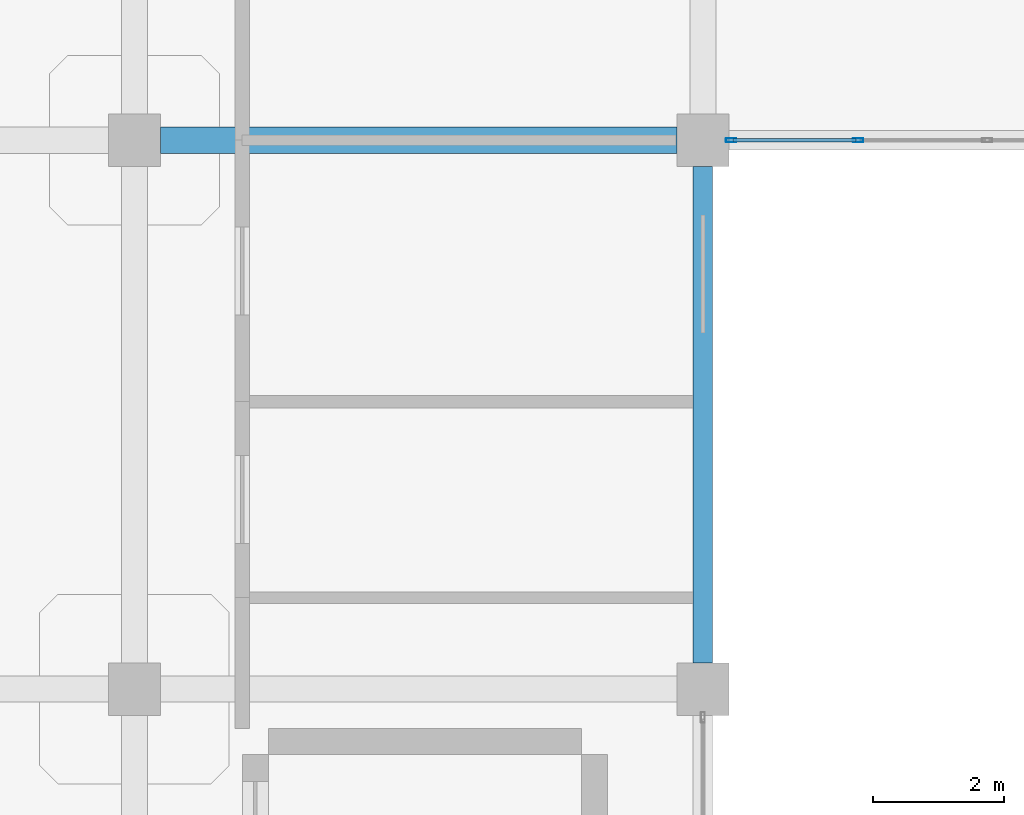
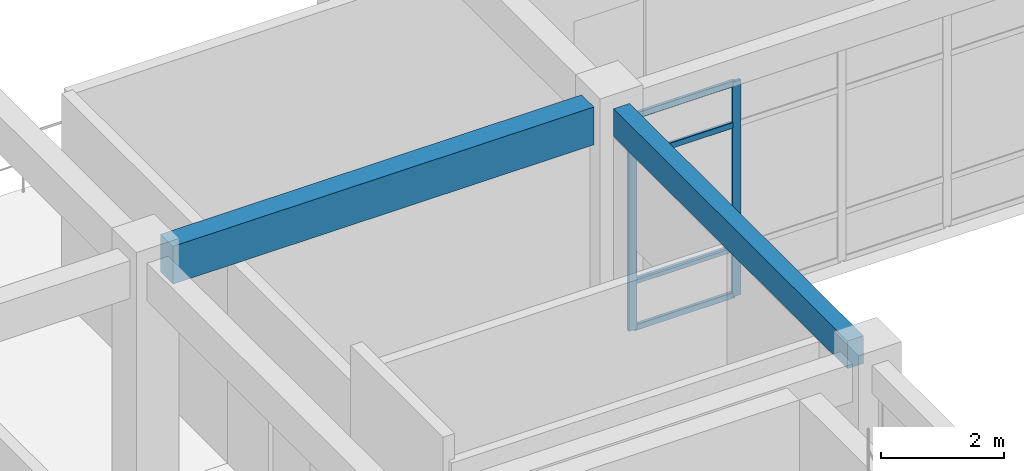
# One storey, part 35 of 96: 6 members, 2 beams, 1 element without a shape of its own.
"""IFC4 building model written with IfcOpenShell, lengths in metres."""

from ifc_helpers import new_model, si_unit, derived_unit, direction, frame, origin, origin_2d, place, context, subcontext, project, spatial, rectangle, hollow_rectangle, extrude, material, layer, layer_set, material_profile, profile_set, type_object, element, aggregate, save


model = new_model("IFC4")

# Units and contexts
model_context = context("Model", 3, precision=1e-05, world=origin(), true_north=direction((0.0, 1.0)))
body_context = subcontext(model_context, "Body", "Model", "MODEL_VIEW")
ifc_project = project(units=[si_unit("LENGTHUNIT", "METRE"), si_unit("AREAUNIT", "SQUARE_METRE"), si_unit("VOLUMEUNIT", "CUBIC_METRE"), si_unit("PLANEANGLEUNIT", "RADIAN"), si_unit("MASSUNIT", "GRAM", prefix="KILO"), derived_unit("THERMALTRANSMITTANCEUNIT", [(si_unit("MASSUNIT", "GRAM", prefix="KILO"), 1), (si_unit("TIMEUNIT", "SECOND"), -3), (si_unit("THERMODYNAMICTEMPERATUREUNIT", "KELVIN"), -1)])], contexts=[model_context])

# Site, building, storey
site_placement = place(None, origin())
site = spatial("IfcSite", under=ifc_project, at=site_placement, CompositionType="ELEMENT")
building_placement = place(site_placement, origin())
building = spatial("IfcBuilding", under=site, at=building_placement, Name="Qinzheling Arcade Emporium", CompositionType="ELEMENT")
storey_placement = place(building_placement, frame((0.0, 0.0, 21.60009765625)))
storey = spatial("IfcBuildingStorey", under=building, at=storey_placement, Name="L05", CompositionType="ELEMENT", Elevation=21.60009765625)

# Curtain wall, members
ifc_material_1 = material(Name="Anodised aluminium and solar-control double glazing", Category="aluminium")
ifc_layer = layer(ifc_material_1, 0.159912109375, Name="Anodised aluminium and solar-control double glazing", Category="aluminium")
ifc_layer_set = layer_set([ifc_layer], Name="Anodised aluminium and solar-control double glazing")
curtain_wall_type = type_object("IfcCurtainWallType", Name="Atrium Clerestory Curtain Wall", PredefinedType="NOTDEFINED", material=ifc_layer_set)
curtain_wall_placement = place(storey_placement, origin())
curtain_wall = element("IfcCurtainWall", 1, at=curtain_wall_placement, inside=storey, type_object=curtain_wall_type, Name="Curtain Wall CW-L05-332", PredefinedType="NOTDEFINED")
ifc_material_2 = material(Name="Anodised aluminium 6063-T6", Category="aluminium")
ifc_material_profile_1 = material_profile(ifc_material_2, hollow_rectangle(XDim=0.06005859375, YDim=0.159912109375, WallThickness=0.00390625, InnerFilletRadius=0.00390625, OuterFilletRadius=0.008056640625, at=origin_2d()), Name="RHS 160x60x4", Category="aluminium")
ifc_profile_set_1 = profile_set([ifc_material_profile_1], Name="Anodised aluminium 6063-T6")
member_type_1 = type_object("IfcMemberType", Name="Curtain Wall Mullion RHS160x60", PredefinedType="MULLION", material=ifc_profile_set_1)
member_1_placement = place(storey_placement, frame((71.97607421875, 42.0, 0.0), z_axis=(0.0, 0.0, 1.0), x_axis=(0.0, -1.0, 0.0)))
member_1 = element("IfcMember", 2, at=member_1_placement, type_object=member_type_1, Name="CW03 mullion 4", PredefinedType="MULLION", context=body_context, shape_type="SweptSolid", body=[
    extrude(hollow_rectangle(XDim=0.06005859375, YDim=0.159912109375, WallThickness=0.00390625, InnerFilletRadius=0.00390625, OuterFilletRadius=0.008056640625, at=origin_2d()), origin(), (0.0, 0.0, 1.0), 4.2548828125),
])
member_2_placement = place(storey_placement, frame((70.031982421875, 42.0, 0.0), z_axis=(0.0, 0.0, 1.0), x_axis=(0.0, -1.0, 0.0)))
member_2 = element("IfcMember", 3, at=member_2_placement, type_object=member_type_1, Name="CW03 mullion 5", PredefinedType="MULLION", context=body_context, shape_type="SweptSolid", body=[
    extrude(hollow_rectangle(XDim=0.06005859375, YDim=0.159912109375, WallThickness=0.00390625, InnerFilletRadius=0.00390625, OuterFilletRadius=0.008056640625, at=origin_2d()), origin(), (0.0, 0.0, 1.0), 4.2548828125),
])
ifc_material_profile_2 = material_profile(ifc_material_2, hollow_rectangle(XDim=0.06005859375, YDim=0.1201171875, WallThickness=0.00390625, InnerFilletRadius=0.00390625, OuterFilletRadius=0.008056640625, at=origin_2d()), Name="RHS 120x60x4", Category="aluminium")
ifc_profile_set_2 = profile_set([ifc_material_profile_2], Name="Anodised aluminium 6063-T6")
member_type_2 = type_object("IfcMemberType", Name="Curtain Wall Transom RHS120x60", PredefinedType="USERDEFINED", material=ifc_profile_set_2)
member_3_placement = place(storey_placement, frame((71.946044921875, 42.0, 0.02978515625), z_axis=(-1.0, 0.0, 0.0), x_axis=(0.0, -1.0, 0.0)))
member_3 = element("IfcMember", 4, at=member_3_placement, type_object=member_type_2, Name="CW03 transom 4.1", ObjectType="TRANSOM", PredefinedType="USERDEFINED", context=body_context, shape_type="SweptSolid", body=[
    extrude(hollow_rectangle(XDim=0.06005859375, YDim=0.1201171875, WallThickness=0.00390625, InnerFilletRadius=0.00390625, OuterFilletRadius=0.008056640625, at=origin_2d()), origin(), (0.0, 0.0, 1.0), 1.884033203125),
])
member_4_placement = place(storey_placement, frame((71.946044921875, 42.0, 0.949951171875), z_axis=(-1.0, 0.0, 0.0), x_axis=(0.0, -1.0, 0.0)))
member_4 = element("IfcMember", 5, at=member_4_placement, type_object=member_type_2, Name="CW03 transom 4.2", ObjectType="TRANSOM", PredefinedType="USERDEFINED", context=body_context, shape_type="SweptSolid", body=[
    extrude(hollow_rectangle(XDim=0.06005859375, YDim=0.1201171875, WallThickness=0.00390625, InnerFilletRadius=0.00390625, OuterFilletRadius=0.008056640625, at=origin_2d()), origin(), (0.0, 0.0, 1.0), 1.884033203125),
])
member_5_placement = place(storey_placement, frame((71.946044921875, 42.0, 3.40478515625), z_axis=(-1.0, 0.0, 0.0), x_axis=(0.0, -1.0, 0.0)))
member_5 = element("IfcMember", 6, at=member_5_placement, type_object=member_type_2, Name="CW03 transom 4.3", ObjectType="TRANSOM", PredefinedType="USERDEFINED", context=body_context, shape_type="SweptSolid", body=[
    extrude(hollow_rectangle(XDim=0.06005859375, YDim=0.1201171875, WallThickness=0.00390625, InnerFilletRadius=0.00390625, OuterFilletRadius=0.008056640625, at=origin_2d()), origin(), (0.0, 0.0, 1.0), 1.884033203125),
])
member_6_placement = place(storey_placement, frame((71.946044921875, 42.0, 4.224853515625), z_axis=(-1.0, 0.0, 0.0), x_axis=(0.0, -1.0, 0.0)))
member_6 = element("IfcMember", 7, at=member_6_placement, type_object=member_type_2, Name="CW03 transom 4.4", ObjectType="TRANSOM", PredefinedType="USERDEFINED", context=body_context, shape_type="SweptSolid", body=[
    extrude(hollow_rectangle(XDim=0.06005859375, YDim=0.1201171875, WallThickness=0.00390625, InnerFilletRadius=0.00390625, OuterFilletRadius=0.008056640625, at=origin_2d()), origin(), (0.0, 0.0, 1.0), 1.884033203125),
])
aggregate(curtain_wall, [member_1, member_2, member_3, member_4, member_5, member_6])

# Beams
ifc_material_3 = material(Name="Concrete C40", Category="concrete")
ifc_material_profile_3 = material_profile(ifc_material_3, rectangle(XDim=0.39990234375, YDim=0.75, at=origin_2d()), Name="RC 400x750", Category="concrete")
ifc_profile_set_3 = profile_set([ifc_material_profile_3], Name="Concrete C40")
beam_type_1 = type_object("IfcBeamType", Name="RC Interior Tie Beam 400x750 C40", PredefinedType="BEAM", material=ifc_profile_set_3)
beam_1_placement = place(storey_placement, frame((61.300048828125, 42.0, 4.44482421875), z_axis=(1.0, 0.0, 0.0), x_axis=(0.0, 1.0, 0.0)))
element("IfcBeam", 8, at=beam_1_placement, inside=storey, type_object=beam_type_1, Name="Beam BM-L05-X-F-8", PredefinedType="BEAM", context=body_context, shape_type="SweptSolid", body=[
    extrude(rectangle(XDim=0.39990234375, YDim=0.75, at=origin_2d()), origin(), (0.0, 0.0, 1.0), 7.89990234375),
])
ifc_material_profile_4 = material_profile(ifc_material_3, rectangle(XDim=0.300048828125, YDim=0.550048828125, at=origin_2d()), Name="RC 300x550", Category="concrete")
ifc_profile_set_4 = profile_set([ifc_material_profile_4], Name="Concrete C40")
beam_type_2 = type_object("IfcBeamType", Name="RC Terrace Spandrel Beam 300x550 C40", PredefinedType="SPANDREL", material=ifc_profile_set_4)
beam_2_placement = place(storey_placement, frame((69.60009765625, 34.0, 4.544921875), z_axis=(0.0, 1.0, 0.0), x_axis=(-1.0, 0.0, 0.0)))
element("IfcBeam", 9, at=beam_2_placement, inside=storey, type_object=beam_type_2, Name="Beam BM-L05-Y-9-E", PredefinedType="SPANDREL", context=body_context, shape_type="SweptSolid", body=[
    extrude(rectangle(XDim=0.300048828125, YDim=0.550048828125, at=origin_2d()), origin(), (0.0, 0.0, 1.0), 7.60009765625),
])

save(model, "model.ifc")
